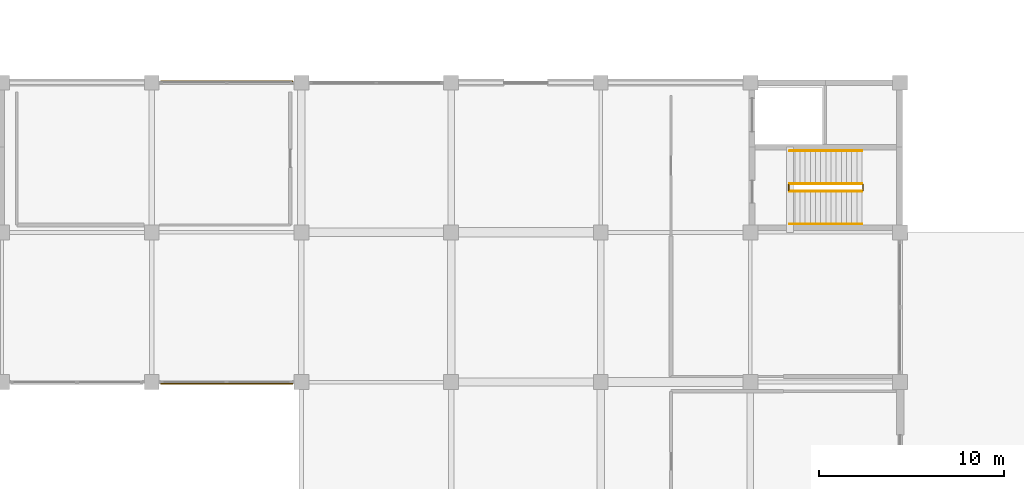
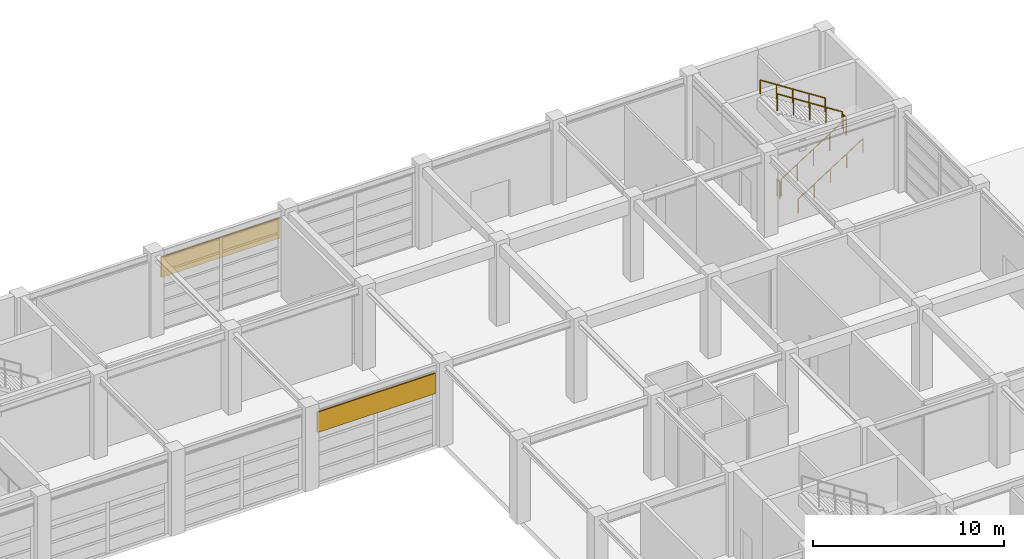
# One storey, part 51 of 52: 6 railings, 2 shading devices.
"""IFC4 building model written with IfcOpenShell, lengths in metres."""

from ifc_helpers import new_model, si_unit, direction, frame, origin, origin_2d, place, context, subcontext, project, spatial, rectangle, circle, extrude, material, layer, layer_set, type_object, element, save


model = new_model("IFC4")

# Units and contexts
model_context = context("Model", 3, precision=1e-05, world=origin(), true_north=direction((0.0, 1.0)))
body_context = subcontext(model_context, "Body", "Model", "MODEL_VIEW")
ifc_project = project(units=[si_unit("LENGTHUNIT", "METRE"), si_unit("AREAUNIT", "SQUARE_METRE"), si_unit("VOLUMEUNIT", "CUBIC_METRE"), si_unit("PLANEANGLEUNIT", "RADIAN"), si_unit("MASSUNIT", "GRAM", prefix="KILO")], contexts=[model_context])

# Site, building, storey
site_placement = place(None, origin())
site = spatial("IfcSite", under=ifc_project, at=site_placement, CompositionType="ELEMENT")
building_placement = place(site_placement, origin())
building = spatial("IfcBuilding", under=site, at=building_placement, Name="Parian Resonance Hall", CompositionType="ELEMENT")
storey_placement = place(building_placement, origin())
storey = spatial("IfcBuildingStorey", under=building, at=storey_placement, Name="L00", CompositionType="ELEMENT", Elevation=0.0)

# Railings
ifc_material_1 = material(Name="Patinated bronze whiplash metalwork")
railing_type_1 = type_object("IfcRailingType", Name="RAIL-STAIR-GRD-1100", PredefinedType="GUARDRAIL", material=ifc_material_1)
railing_1_placement = place(storey_placement, frame((139.820068359375, 83.22998046875, 0.179931640625)))
element("IfcRailing", 1, at=railing_1_placement, inside=storey, type_object=railing_type_1, Name="L00 ST-06 stair guard 1", PredefinedType="GUARDRAIL", context=body_context, shape_type="SweptSolid", body=[
    extrude(circle(Radius=0.02392578125, at=origin_2d()), frame((0.0, 0.0, 1.076171875), z_axis=(0.841171666519, 0.0, 0.540768182723), x_axis=(0.0, 1.0, 0.0)), (0.0, 0.0, 1.0), 4.66015625),
    extrude(circle(Radius=0.02099609375, at=origin_2d()), origin(), (0.0, 0.0, 1.0), 1.052001953125),
    extrude(circle(Radius=0.02099609375, at=origin_2d()), frame((0.97998046875, 0.0, 0.6298828125)), (0.0, 0.0, 1.0), 1.052001953125),
    extrude(circle(Radius=0.02099609375, at=origin_2d()), frame((1.9599609375, 0.0, 1.260009765625)), (0.0, 0.0, 1.0), 1.052001953125),
    extrude(circle(Radius=0.02099609375, at=origin_2d()), frame((2.93994140625, 0.0, 1.89013671875)), (0.0, 0.0, 1.0), 1.052001953125),
    extrude(circle(Radius=0.02099609375, at=origin_2d()), frame((3.919921875, 0.0, 2.52001953125)), (0.0, 0.0, 1.0), 1.052001953125),
])
railing_2_placement = place(storey_placement, frame((143.7900390625, 83.280029296875, 2.699951171875)))
element("IfcRailing", 2, at=railing_2_placement, inside=storey, type_object=railing_type_1, Name="L00 ST-06 stair guard 2", PredefinedType="GUARDRAIL", context=body_context, shape_type="SweptSolid", body=[
    extrude(circle(Radius=0.02392578125, at=origin_2d()), frame((0.0, 0.0, 1.076171875), z_axis=(0.0, 1.0, 0.0), x_axis=(-1.0, 0.0, 0.0)), (0.0, 0.0, 1.0), 0.300048828125),
    extrude(circle(Radius=0.02099609375, at=origin_2d()), origin(), (0.0, 0.0, 1.0), 1.052001953125),
    extrude(circle(Radius=0.02099609375, at=origin_2d()), frame((0.0, 0.300048828125, 0.0)), (0.0, 0.0, 1.0), 1.052001953125),
])
railing_3_placement = place(storey_placement, frame((143.739990234375, 83.6298828125, 2.8798828125)))
element("IfcRailing", 3, at=railing_3_placement, inside=storey, type_object=railing_type_1, Name="L00 ST-06 stair guard 3", PredefinedType="GUARDRAIL", context=body_context, shape_type="SweptSolid", body=[
    extrude(circle(Radius=0.02392578125, at=origin_2d()), frame((0.0, 0.0, 1.076171875), z_axis=(-0.841171666519, 0.0, 0.540768182723), x_axis=(0.0, -1.0, 0.0)), (0.0, 0.0, 1.0), 4.66015625),
    extrude(circle(Radius=0.02099609375, at=origin_2d()), origin(), (0.0, 0.0, 1.0), 1.052001953125),
    extrude(circle(Radius=0.02099609375, at=origin_2d()), frame((-0.97998046875, 0.0, 0.6298828125)), (0.0, 0.0, 1.0), 1.052001953125),
    extrude(circle(Radius=0.02099609375, at=origin_2d()), frame((-1.9599609375, 0.0, 1.260009765625)), (0.0, 0.0, 1.0), 1.052001953125),
    extrude(circle(Radius=0.02099609375, at=origin_2d()), frame((-2.93994140625, 0.0, 1.89013671875)), (0.0, 0.0, 1.0), 1.052001953125),
    extrude(circle(Radius=0.02099609375, at=origin_2d()), frame((-3.919921875, 0.0, 2.52001953125)), (0.0, 0.0, 1.0), 1.052001953125),
])
railing_4_placement = place(storey_placement, frame((139.77001953125, 83.280029296875, 0.0)))
element("IfcRailing", 4, at=railing_4_placement, inside=storey, type_object=railing_type_1, Name="L00 ST-06 stair guard 4", PredefinedType="GUARDRAIL", context=body_context, shape_type="SweptSolid", body=[
    extrude(circle(Radius=0.02392578125, at=origin_2d()), frame((0.0, 0.0, 1.076171875), z_axis=(0.0, 1.0, 0.0), x_axis=(-1.0, 0.0, 0.0)), (0.0, 0.0, 1.0), 0.300048828125),
    extrude(circle(Radius=0.02099609375, at=origin_2d()), origin(), (0.0, 0.0, 1.0), 1.052001953125),
    extrude(circle(Radius=0.02099609375, at=origin_2d()), frame((0.0, 0.300048828125, 0.0)), (0.0, 0.0, 1.0), 1.052001953125),
])
ifc_material_2 = material(Name="Patinated bronze whiplash metalwork")
railing_type_2 = type_object("IfcRailingType", Name="RAIL-STAIR-HR-900", PredefinedType="HANDRAIL", material=ifc_material_2)
railing_5_placement = place(storey_placement, frame((139.820068359375, 81.449951171875, 0.179931640625)))
element("IfcRailing", 5, at=railing_5_placement, inside=storey, type_object=railing_type_2, Name="L00 ST-06 stair handrail 1", PredefinedType="HANDRAIL", context=body_context, shape_type="SweptSolid", body=[
    extrude(circle(Radius=0.02392578125, at=origin_2d()), frame((0.0, 0.0, 0.8759765625), z_axis=(0.841171666519, 0.0, 0.540768182723), x_axis=(0.0, 1.0, 0.0)), (0.0, 0.0, 1.0), 4.66015625),
    extrude(circle(Radius=0.02099609375, at=origin_2d()), origin(), (0.0, 0.0, 1.0), 0.851806640625),
    extrude(circle(Radius=0.02099609375, at=origin_2d()), frame((0.97998046875, 0.0, 0.6298828125)), (0.0, 0.0, 1.0), 0.851806640625),
    extrude(circle(Radius=0.02099609375, at=origin_2d()), frame((1.9599609375, 0.0, 1.260009765625)), (0.0, 0.0, 1.0), 0.851806640625),
    extrude(circle(Radius=0.02099609375, at=origin_2d()), frame((2.93994140625, 0.0, 1.89013671875)), (0.0, 0.0, 1.0), 0.851806640625),
    extrude(circle(Radius=0.02099609375, at=origin_2d()), frame((3.919921875, 0.0, 2.52001953125)), (0.0, 0.0, 1.0), 0.851806640625),
])
railing_6_placement = place(storey_placement, frame((143.739990234375, 85.409912109375, 2.8798828125)))
element("IfcRailing", 6, at=railing_6_placement, inside=storey, type_object=railing_type_2, Name="L00 ST-06 stair handrail 2", PredefinedType="HANDRAIL", context=body_context, shape_type="SweptSolid", body=[
    extrude(circle(Radius=0.02392578125, at=origin_2d()), frame((0.0, 0.0, 0.8759765625), z_axis=(-0.841171666519, 0.0, 0.540768182723), x_axis=(0.0, -1.0, 0.0)), (0.0, 0.0, 1.0), 4.66015625),
    extrude(circle(Radius=0.02099609375, at=origin_2d()), origin(), (0.0, 0.0, 1.0), 0.851806640625),
    extrude(circle(Radius=0.02099609375, at=origin_2d()), frame((-0.97998046875, 0.0, 0.6298828125)), (0.0, 0.0, 1.0), 0.851806640625),
    extrude(circle(Radius=0.02099609375, at=origin_2d()), frame((-1.9599609375, 0.0, 1.260009765625)), (0.0, 0.0, 1.0), 0.851806640625),
    extrude(circle(Radius=0.02099609375, at=origin_2d()), frame((-2.93994140625, 0.0, 1.89013671875)), (0.0, 0.0, 1.0), 0.851806640625),
    extrude(circle(Radius=0.02099609375, at=origin_2d()), frame((-3.919921875, 0.0, 2.52001953125)), (0.0, 0.0, 1.0), 0.851806640625),
])

# Shading devices
ifc_material_3 = material(Name="Patinated bronze persiana louver")
ifc_layer = layer(ifc_material_3, 0.080078125)
ifc_layer_set = layer_set([ifc_layer], Name="Patinated bronze persiana louver")
shading_device_type = type_object("IfcShadingDeviceType", Name="SHD-PERSIANA-JAL", PredefinedType="JALOUSIE", material=ifc_layer_set)
for number, where, z_axis, x_axis, name in (
    (7, (109.35009765625, 89.16748046875, 3.3251953125), (0.0, 0.0, 1.0), (1.0, 0.0, 0.0), "Bronze persiana storm jalousie L00-048"),
    (8, (109.35009765625, 72.827392578125, 3.3251953125), (0.0, 0.0, 1.0), (-1.0, 0.0, 0.0), "Bronze persiana storm jalousie L00-056"),
):
    element("IfcShadingDevice", number, at=place(storey_placement, frame(where, z_axis=z_axis, x_axis=x_axis)), inside=storey, type_object=shading_device_type, Name=name, PredefinedType="JALOUSIE", context=body_context, shape_type="SweptSolid", body=[
        extrude(rectangle(XDim=7.139892578125, YDim=0.080078125, at=origin_2d()), origin(), (0.0, 0.0, 1.0), 1.300048828125),
    ])

save(model, "model.ifc")
